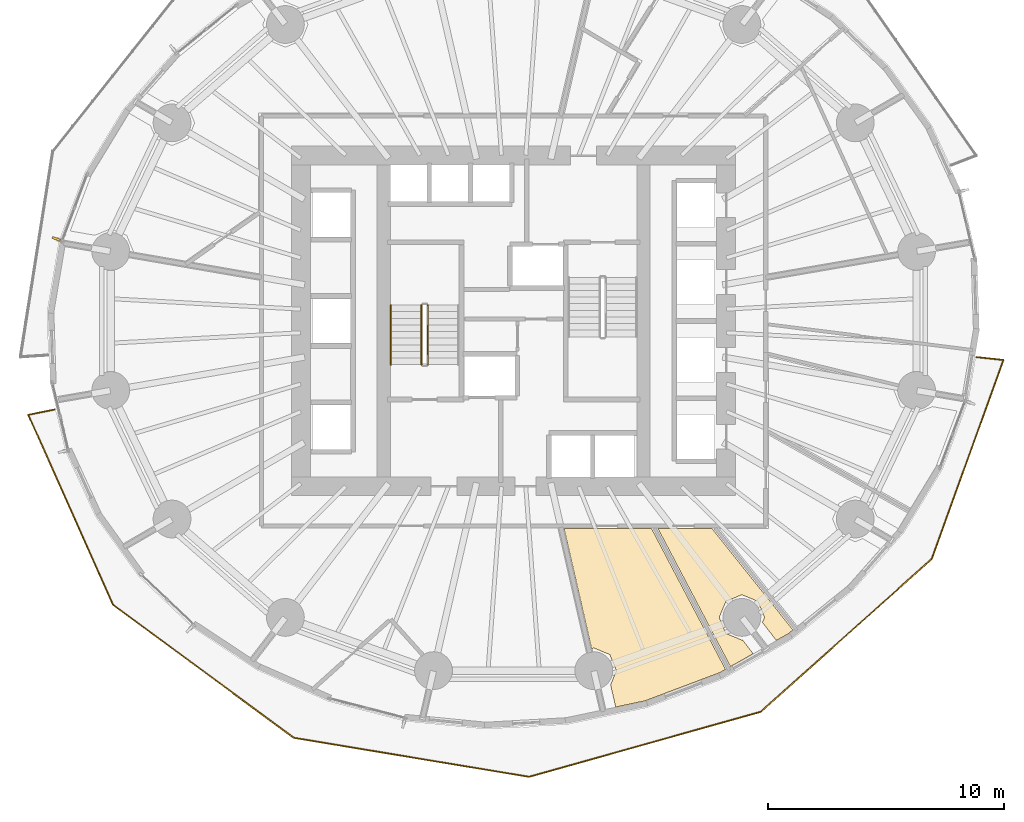
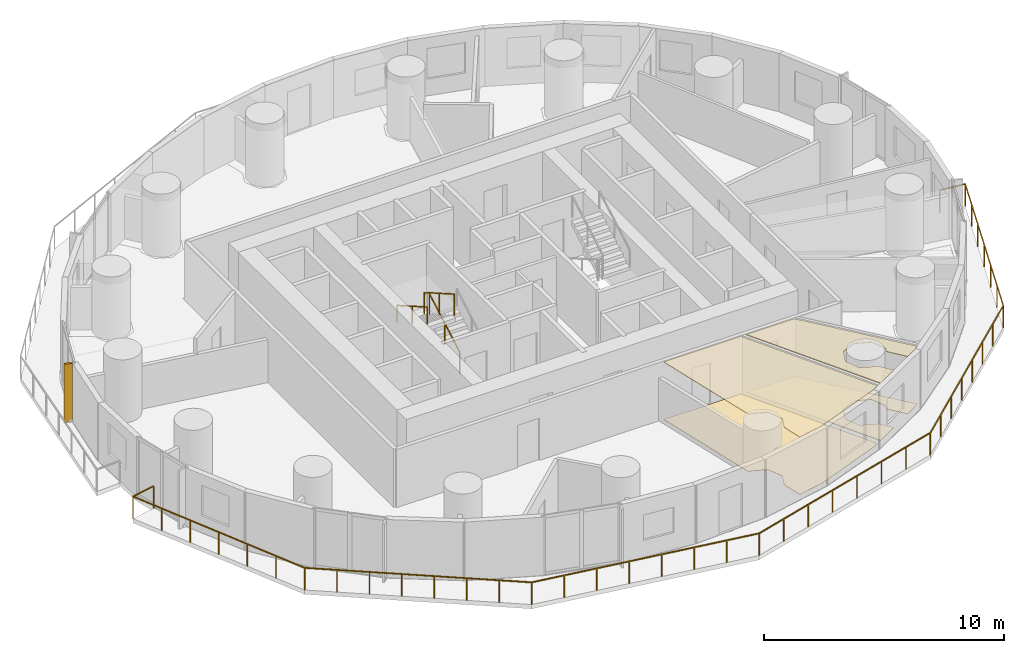
# One storey, part 12 of 14: 4 coverings, 4 railings, 1 shading device.
"""IFC4 building model written with IfcOpenShell, lengths in metres."""

from ifc_helpers import new_model, si_unit, direction, frame, origin, origin_2d, place, context, subcontext, project, spatial, polyline, rectangle, outline, extrude, material, layer, layer_set, type_object, element, save


model = new_model("IFC4")

# Units and contexts
model_context = context("Model", 3, precision=1e-05, world=origin(), true_north=direction((0.0, 1.0)))
body_context = subcontext(model_context, "Body", "Model", "MODEL_VIEW")
ifc_project = project(units=[si_unit("LENGTHUNIT", "METRE"), si_unit("AREAUNIT", "SQUARE_METRE"), si_unit("VOLUMEUNIT", "CUBIC_METRE"), si_unit("PLANEANGLEUNIT", "RADIAN"), si_unit("MASSUNIT", "GRAM", prefix="KILO")], contexts=[model_context])

# Site, building, storey
site_placement = place(None, origin())
site = spatial("IfcSite", under=ifc_project, at=site_placement, CompositionType="ELEMENT")
building_placement = place(site_placement, origin())
building = spatial("IfcBuilding", under=site, at=building_placement, Name="Veldorim Arch Residences", CompositionType="ELEMENT")
storey_placement = place(building_placement, frame((0.0, 0.0, 34.39990234375)))
storey = spatial("IfcBuildingStorey", under=building, at=storey_placement, Name="L09", CompositionType="ELEMENT", Elevation=34.39990234375)

# Railings
ifc_material_1 = material(Name="Aluminium", Category="aluminium")
railing_type_1 = type_object("IfcRailingType", Name="Balcony & Terrace Laminated Glass Balustrade 1150", PredefinedType="BALUSTRADE", material=ifc_material_1)
railing_1_placement = place(storey_placement, frame((12.56884765625, 20.253662109375, 0.0)))
element("IfcRailing", 1, at=railing_1_placement, inside=storey, type_object=railing_type_1, Name="L09 crescent balcony safety balustrade B", PredefinedType="BALUSTRADE", context=body_context, shape_type="SweptSolid", body=[
    extrude(rectangle(XDim=0.048095703125, YDim=0.048095703125, at=origin_2d()), frame((0.0, 0.0, 1.1259765625), z_axis=(-0.98018677994, -0.198075431164, 0.0), x_axis=(0.198075431164, -0.98018677994, 0.0)), (0.0, 0.0, 1.0), 1.14990234375),
    extrude(rectangle(XDim=0.048095703125, YDim=0.048095703125, at=origin_2d()), frame((-1.127197265625, -0.227783203125, 1.1259765625), z_axis=(0.407703225466, -0.913114494434, 0.0), x_axis=(0.913114494434, 0.407703225466, 0.0)), (0.0, 0.0, 1.0), 8.812744140625),
    extrude(rectangle(XDim=0.048095703125, YDim=0.048095703125, at=origin_2d()), frame((2.4658203125, -8.27490234375, 1.1259765625), z_axis=(0.80521403008, -0.592984287955, 0.0), x_axis=(0.592984287955, 0.80521403008, 0.0)), (0.0, 0.0, 1.0), 9.501953125),
    extrude(rectangle(XDim=0.048095703125, YDim=0.048095703125, at=origin_2d()), frame((10.116943359375, -13.909423828125, 1.1259765625), z_axis=(0.986516409648, -0.163662376542, 0.0), x_axis=(0.163662376542, 0.986516409648, 0.0)), (0.0, 0.0, 1.0), 10.10498046875),
    extrude(rectangle(XDim=0.048095703125, YDim=0.048095703125, at=origin_2d()), frame((20.085693359375, -15.563232421875, 1.1259765625), z_axis=(0.962734160995, 0.270449505921, 0.0), x_axis=(-0.270449505921, 0.962734160995, 0.0)), (0.0, 0.0, 1.0), 10.197265625),
    extrude(rectangle(XDim=0.048095703125, YDim=0.048095703125, at=origin_2d()), frame((29.90283203125, -12.805419921875, 1.1259765625), z_axis=(0.745463588348, 0.666546351312, 0.0), x_axis=(-0.666546351312, 0.745463588348, 0.0)), (0.0, 0.0, 1.0), 9.707763671875),
    extrude(rectangle(XDim=0.048095703125, YDim=0.048095703125, at=origin_2d()), frame((37.1396484375, -6.334716796875, 1.1259765625), z_axis=(0.338993500644, 0.940788715133, 0.0), x_axis=(-0.940788715133, 0.338993500644, 0.0)), (0.0, 0.0, 1.0), 8.959228515625),
    extrude(rectangle(XDim=0.048095703125, YDim=0.048095703125, at=origin_2d()), frame((40.1767578125, 2.093994140625, 1.1259765625), z_axis=(-0.994144958827, 0.108054619697, 0.0), x_axis=(-0.108054619697, -0.994144958827, 0.0)), (0.0, 0.0, 1.0), 1.150146484375),
    extrude(rectangle(XDim=0.0419921875, YDim=0.0419921875, at=origin_2d()), origin(), (0.0, 0.0, 1.0), 1.101806640625),
    extrude(rectangle(XDim=0.0419921875, YDim=0.0419921875, at=origin_2d()), frame((-1.127197265625, -0.227783203125, 0.0)), (0.0, 0.0, 1.0), 1.101806640625),
    extrude(rectangle(XDim=0.0419921875, YDim=0.0419921875, at=origin_2d()), frame((-0.5283203125, -1.56884765625, 0.0)), (0.0, 0.0, 1.0), 1.101806640625),
    extrude(rectangle(XDim=0.0419921875, YDim=0.0419921875, at=origin_2d()), frame((0.070556640625, -2.91015625, 0.0)), (0.0, 0.0, 1.0), 1.101806640625),
    extrude(rectangle(XDim=0.0419921875, YDim=0.0419921875, at=origin_2d()), frame((0.66943359375, -4.25146484375, 0.0)), (0.0, 0.0, 1.0), 1.101806640625),
    extrude(rectangle(XDim=0.0419921875, YDim=0.0419921875, at=origin_2d()), frame((1.26806640625, -5.592529296875, 0.0)), (0.0, 0.0, 1.0), 1.101806640625),
    extrude(rectangle(XDim=0.0419921875, YDim=0.0419921875, at=origin_2d()), frame((1.866943359375, -6.93359375, 0.0)), (0.0, 0.0, 1.0), 1.101806640625),
    extrude(rectangle(XDim=0.0419921875, YDim=0.0419921875, at=origin_2d()), frame((2.4658203125, -8.27490234375, 0.0)), (0.0, 0.0, 1.0), 1.101806640625),
    extrude(rectangle(XDim=0.0419921875, YDim=0.0419921875, at=origin_2d()), frame((3.558837890625, -9.079833984375, 0.0)), (0.0, 0.0, 1.0), 1.101806640625),
    extrude(rectangle(XDim=0.0419921875, YDim=0.0419921875, at=origin_2d()), frame((4.65185546875, -9.884765625, 0.0)), (0.0, 0.0, 1.0), 1.101806640625),
    extrude(rectangle(XDim=0.0419921875, YDim=0.0419921875, at=origin_2d()), frame((5.744873046875, -10.689697265625, 0.0)), (0.0, 0.0, 1.0), 1.101806640625),
    extrude(rectangle(XDim=0.0419921875, YDim=0.0419921875, at=origin_2d()), frame((6.837890625, -11.49462890625, 0.0)), (0.0, 0.0, 1.0), 1.101806640625),
    extrude(rectangle(XDim=0.0419921875, YDim=0.0419921875, at=origin_2d()), frame((7.930908203125, -12.299560546875, 0.0)), (0.0, 0.0, 1.0), 1.101806640625),
    extrude(rectangle(XDim=0.0419921875, YDim=0.0419921875, at=origin_2d()), frame((9.02392578125, -13.1044921875, 0.0)), (0.0, 0.0, 1.0), 1.101806640625),
    extrude(rectangle(XDim=0.0419921875, YDim=0.0419921875, at=origin_2d()), frame((10.116943359375, -13.909423828125, 0.0)), (0.0, 0.0, 1.0), 1.101806640625),
    extrude(rectangle(XDim=0.0419921875, YDim=0.0419921875, at=origin_2d()), frame((11.541015625, -14.145751953125, 0.0)), (0.0, 0.0, 1.0), 1.101806640625),
    extrude(rectangle(XDim=0.0419921875, YDim=0.0419921875, at=origin_2d()), frame((12.965087890625, -14.3818359375, 0.0)), (0.0, 0.0, 1.0), 1.101806640625),
    extrude(rectangle(XDim=0.0419921875, YDim=0.0419921875, at=origin_2d()), frame((14.38916015625, -14.6181640625, 0.0)), (0.0, 0.0, 1.0), 1.101806640625),
    extrude(rectangle(XDim=0.0419921875, YDim=0.0419921875, at=origin_2d()), frame((15.8134765625, -14.8544921875, 0.0)), (0.0, 0.0, 1.0), 1.101806640625),
    extrude(rectangle(XDim=0.0419921875, YDim=0.0419921875, at=origin_2d()), frame((17.237548828125, -15.0908203125, 0.0)), (0.0, 0.0, 1.0), 1.101806640625),
    extrude(rectangle(XDim=0.0419921875, YDim=0.0419921875, at=origin_2d()), frame((18.66162109375, -15.326904296875, 0.0)), (0.0, 0.0, 1.0), 1.101806640625),
    extrude(rectangle(XDim=0.0419921875, YDim=0.0419921875, at=origin_2d()), frame((20.085693359375, -15.563232421875, 0.0)), (0.0, 0.0, 1.0), 1.101806640625),
    extrude(rectangle(XDim=0.0419921875, YDim=0.0419921875, at=origin_2d()), frame((21.488037109375, -15.169189453125, 0.0)), (0.0, 0.0, 1.0), 1.101806640625),
    extrude(rectangle(XDim=0.0419921875, YDim=0.0419921875, at=origin_2d()), frame((22.890625, -14.775390625, 0.0)), (0.0, 0.0, 1.0), 1.101806640625),
    extrude(rectangle(XDim=0.0419921875, YDim=0.0419921875, at=origin_2d()), frame((24.29296875, -14.38134765625, 0.0)), (0.0, 0.0, 1.0), 1.101806640625),
    extrude(rectangle(XDim=0.0419921875, YDim=0.0419921875, at=origin_2d()), frame((25.695556640625, -13.9873046875, 0.0)), (0.0, 0.0, 1.0), 1.101806640625),
    extrude(rectangle(XDim=0.0419921875, YDim=0.0419921875, at=origin_2d()), frame((27.097900390625, -13.59326171875, 0.0)), (0.0, 0.0, 1.0), 1.101806640625),
    extrude(rectangle(XDim=0.0419921875, YDim=0.0419921875, at=origin_2d()), frame((28.50048828125, -13.199462890625, 0.0)), (0.0, 0.0, 1.0), 1.101806640625),
    extrude(rectangle(XDim=0.0419921875, YDim=0.0419921875, at=origin_2d()), frame((29.90283203125, -12.805419921875, 0.0)), (0.0, 0.0, 1.0), 1.101806640625),
    extrude(rectangle(XDim=0.0419921875, YDim=0.0419921875, at=origin_2d()), frame((30.936767578125, -11.881103515625, 0.0)), (0.0, 0.0, 1.0), 1.101806640625),
    extrude(rectangle(XDim=0.0419921875, YDim=0.0419921875, at=origin_2d()), frame((31.970458984375, -10.95654296875, 0.0)), (0.0, 0.0, 1.0), 1.101806640625),
    extrude(rectangle(XDim=0.0419921875, YDim=0.0419921875, at=origin_2d()), frame((33.00439453125, -10.0322265625, 0.0)), (0.0, 0.0, 1.0), 1.101806640625),
    extrude(rectangle(XDim=0.0419921875, YDim=0.0419921875, at=origin_2d()), frame((34.0380859375, -9.10791015625, 0.0)), (0.0, 0.0, 1.0), 1.101806640625),
    extrude(rectangle(XDim=0.0419921875, YDim=0.0419921875, at=origin_2d()), frame((35.072021484375, -8.18359375, 0.0)), (0.0, 0.0, 1.0), 1.101806640625),
    extrude(rectangle(XDim=0.0419921875, YDim=0.0419921875, at=origin_2d()), frame((36.105712890625, -7.259033203125, 0.0)), (0.0, 0.0, 1.0), 1.101806640625),
    extrude(rectangle(XDim=0.0419921875, YDim=0.0419921875, at=origin_2d()), frame((37.1396484375, -6.334716796875, 0.0)), (0.0, 0.0, 1.0), 1.101806640625),
    extrude(rectangle(XDim=0.0419921875, YDim=0.0419921875, at=origin_2d()), frame((37.645751953125, -4.929931640625, 0.0)), (0.0, 0.0, 1.0), 1.101806640625),
    extrude(rectangle(XDim=0.0419921875, YDim=0.0419921875, at=origin_2d()), frame((38.152099609375, -3.525146484375, 0.0)), (0.0, 0.0, 1.0), 1.101806640625),
    extrude(rectangle(XDim=0.0419921875, YDim=0.0419921875, at=origin_2d()), frame((38.658203125, -2.120361328125, 0.0)), (0.0, 0.0, 1.0), 1.101806640625),
    extrude(rectangle(XDim=0.0419921875, YDim=0.0419921875, at=origin_2d()), frame((39.164306640625, -0.715576171875, 0.0)), (0.0, 0.0, 1.0), 1.101806640625),
    extrude(rectangle(XDim=0.0419921875, YDim=0.0419921875, at=origin_2d()), frame((39.670654296875, 0.689208984375, 0.0)), (0.0, 0.0, 1.0), 1.101806640625),
    extrude(rectangle(XDim=0.0419921875, YDim=0.0419921875, at=origin_2d()), frame((40.1767578125, 2.093994140625, 0.0)), (0.0, 0.0, 1.0), 1.101806640625),
    extrude(rectangle(XDim=0.0419921875, YDim=0.0419921875, at=origin_2d()), frame((39.033447265625, 2.21826171875, 0.0)), (0.0, 0.0, 1.0), 1.101806640625),
])
ifc_material_2 = material(Name="Steel S355", Category="steel")
railing_type_2 = type_object("IfcRailingType", Name="Galvanised Steel Stair Safety Guardrail 1100", PredefinedType="GUARDRAIL", material=ifc_material_2)
railing_2_placement = place(storey_placement, frame((28.360107421875, 22.14990234375, 0.16015625)))
element("IfcRailing", 2, at=railing_2_placement, inside=storey, type_object=railing_type_2, Name="L09 ST-1 stair guard 1", PredefinedType="GUARDRAIL", context=body_context, shape_type="SweptSolid", body=[
    extrude(rectangle(XDim=0.048095703125, YDim=0.048095703125, at=origin_2d()), frame((0.0, 0.0, 1.076171875), z_axis=(0.0, 0.868253494771, 0.496120820787), x_axis=(-1.0, 0.0, 0.0)), (0.0, 0.0, 1.0), 2.90234375),
    extrude(rectangle(XDim=0.0419921875, YDim=0.0419921875, at=origin_2d()), origin(), (0.0, 0.0, 1.0), 1.052001953125),
    extrude(rectangle(XDim=0.0419921875, YDim=0.0419921875, at=origin_2d()), frame((0.0, 1.260009765625, 0.719970703125)), (0.0, 0.0, 1.0), 1.052001953125),
    extrude(rectangle(XDim=0.0419921875, YDim=0.0419921875, at=origin_2d()), frame((0.0, 2.52001953125, 1.43994140625)), (0.0, 0.0, 1.0), 1.052001953125),
])
railing_3_placement = place(storey_placement, frame((28.10009765625, 24.669921875, 1.760009765625)))
element("IfcRailing", 3, at=railing_3_placement, inside=storey, type_object=railing_type_2, Name="L09 ST-1 stair guard 3", PredefinedType="GUARDRAIL", context=body_context, shape_type="SweptSolid", body=[
    extrude(rectangle(XDim=0.048095703125, YDim=0.048095703125, at=origin_2d()), frame((0.0, 0.0, 1.076171875), z_axis=(0.0, -0.868217259934, 0.496184229447), x_axis=(1.0, 0.0, 0.0)), (0.0, 0.0, 1.0), 2.902587890625),
    extrude(rectangle(XDim=0.0419921875, YDim=0.0419921875, at=origin_2d()), origin(), (0.0, 0.0, 1.0), 1.052001953125),
    extrude(rectangle(XDim=0.0419921875, YDim=0.0419921875, at=origin_2d()), frame((0.0, -1.260009765625, 0.72021484375)), (0.0, 0.0, 1.0), 1.052001953125),
    extrude(rectangle(XDim=0.0419921875, YDim=0.0419921875, at=origin_2d()), frame((0.0, -2.52001953125, 1.440185546875)), (0.0, 0.0, 1.0), 1.052001953125),
])

# Coverings
ifc_material_3 = material(Name="Acoustic Gypsum & Mineral Fibre", Category="gypsum")
ifc_layer_1 = layer(ifc_material_3, 0.034912109375, Name="Perforated Acoustic Mineral-Fibre Ceiling 35")
ifc_layer_set_1 = layer_set([ifc_layer_1], Name="Acoustic Gypsum & Mineral Fibre")
covering_type_1 = type_object("IfcCoveringType", Name="Perforated Acoustic Mineral-Fibre Ceiling 35", PredefinedType="CEILING", material=ifc_layer_set_1)
covering_1_placement = place(storey_placement, frame((0.0, 0.0, 2.905029296875)))
element("IfcCovering", 4, at=covering_1_placement, inside=storey, type_object=covering_type_1, Name="L09 acoustic suspended ceiling 03", PredefinedType="CEILING", context=body_context, shape_type="SweptSolid", body=[
    extrude(outline(polyline([(42.14306640625, 9.908447265625), (41.182861328125, 9.36279296875), (38.115478515625, 15.199951171875), (40.408203125, 15.199951171875), (43.829345703125, 10.915283203125), (43.626953125, 10.751953125), (43.126220703125, 10.46728515625), (42.5380859375, 11.23095703125), (42.626708984375, 11.44482421875), (42.345703125, 12.12353515625), (41.6669921875, 12.40478515625), (40.98828125, 12.12353515625), (40.70703125, 11.44482421875), (40.98828125, 10.76611328125), (41.6669921875, 10.48486328125), (41.69140625, 10.4951171875), (42.14306640625, 9.908447265625)])), origin(), (0.0, 0.0, 1.0), 0.03515625),
])
covering_2_placement = place(storey_placement, frame((0.0, 0.0, 2.905029296875)))
element("IfcCovering", 5, at=covering_2_placement, inside=storey, type_object=covering_type_1, Name="L09 acoustic suspended ceiling 04", PredefinedType="CEILING", context=body_context, shape_type="SweptSolid", body=[
    extrude(outline(polyline([(36.3544921875, 9.190185546875), (36.0732421875, 9.868896484375), (35.39453125, 10.14990234375), (35.30615234375, 10.11328125), (34.14013671875, 15.199951171875), (37.844482421875, 15.199951171875), (40.97412109375, 9.244140625), (40.728759765625, 9.104736328125), (37.563720703125, 7.9111328125), (36.322265625, 7.6494140625), (36.1064453125, 8.59130859375), (36.3544921875, 9.190185546875)])), origin(), (0.0, 0.0, 1.0), 0.03515625),
])
ifc_material_4 = material(Name="Porcelain Ceramic Tile", Category="ceramic")
ifc_layer_2 = layer(ifc_material_4, 0.02001953125, Name="Slip-Resistant Porcelain & Vinyl Floor Finish 20")
ifc_layer_set_2 = layer_set([ifc_layer_2], Name="Porcelain Ceramic Tile")
covering_type_2 = type_object("IfcCoveringType", Name="Slip-Resistant Porcelain & Vinyl Floor Finish 20", PredefinedType="FLOORING", material=ifc_layer_set_2)
covering_3_placement = place(storey_placement, origin())
element("IfcCovering", 6, at=covering_3_placement, inside=storey, type_object=covering_type_2, Name="L09 porcelain floor finish 03", PredefinedType="FLOORING", context=body_context, shape_type="SweptSolid", body=[
    extrude(outline(polyline([(42.14306640625, 9.908447265625), (41.182861328125, 9.36279296875), (38.115478515625, 15.199951171875), (40.408203125, 15.199951171875), (43.829345703125, 10.915283203125), (43.626953125, 10.751953125), (43.126220703125, 10.46728515625), (42.5380859375, 11.23095703125), (42.626708984375, 11.44482421875), (42.345703125, 12.12353515625), (41.6669921875, 12.40478515625), (40.98828125, 12.12353515625), (40.70703125, 11.44482421875), (40.98828125, 10.76611328125), (41.6669921875, 10.48486328125), (41.69140625, 10.4951171875), (42.14306640625, 9.908447265625)])), origin(), (0.0, 0.0, 1.0), 0.02001953125),
])
covering_4_placement = place(storey_placement, origin())
element("IfcCovering", 7, at=covering_4_placement, inside=storey, type_object=covering_type_2, Name="L09 porcelain floor finish 04", PredefinedType="FLOORING", context=body_context, shape_type="SweptSolid", body=[
    extrude(outline(polyline([(36.3544921875, 9.190185546875), (36.0732421875, 9.868896484375), (35.39453125, 10.14990234375), (35.30615234375, 10.11328125), (34.14013671875, 15.199951171875), (37.844482421875, 15.199951171875), (40.97412109375, 9.244140625), (40.728759765625, 9.104736328125), (37.563720703125, 7.9111328125), (36.322265625, 7.6494140625), (36.1064453125, 8.59130859375), (36.3544921875, 9.190185546875)])), origin(), (0.0, 0.0, 1.0), 0.02001953125),
])

# Railing
ifc_material_5 = material(Name="Stainless Steel", Category="steel")
railing_type_3 = type_object("IfcRailingType", Name="Tubular Steel Continuous Wall Handrail 900", PredefinedType="HANDRAIL", material=ifc_material_5)
railing_4_placement = place(storey_placement, frame((26.800048828125, 24.669921875, 1.760009765625)))
element("IfcRailing", 8, at=railing_4_placement, inside=storey, type_object=railing_type_3, Name="L09 ST-1 stair handrail 2", PredefinedType="HANDRAIL", context=body_context, shape_type="SweptSolid", body=[
    extrude(rectangle(XDim=0.048095703125, YDim=0.048095703125, at=origin_2d()), frame((0.0, 0.0, 0.8759765625), z_axis=(0.0, -0.868217259934, 0.496184229447), x_axis=(1.0, 0.0, 0.0)), (0.0, 0.0, 1.0), 2.902587890625),
    extrude(rectangle(XDim=0.0419921875, YDim=0.0419921875, at=origin_2d()), origin(), (0.0, 0.0, 1.0), 0.851806640625),
    extrude(rectangle(XDim=0.0419921875, YDim=0.0419921875, at=origin_2d()), frame((0.0, -1.260009765625, 0.72021484375)), (0.0, 0.0, 1.0), 0.851806640625),
    extrude(rectangle(XDim=0.0419921875, YDim=0.0419921875, at=origin_2d()), frame((0.0, -2.52001953125, 1.440185546875)), (0.0, 0.0, 1.0), 0.851806640625),
])

# Shading device
ifc_material_6 = material(Name="Terracotta Ceramic", Category="masonry")
ifc_layer_3 = layer(ifc_material_6, 0.090087890625, Name="Vertical Extruded Terracotta Baguette Sun-Shading Fin")
ifc_layer_set_3 = layer_set([ifc_layer_3], Name="Terracotta Ceramic")
shading_device_type = type_object("IfcShadingDeviceType", Name="Vertical Extruded Terracotta Baguette Sun-Shading Fin", PredefinedType="USERDEFINED", material=ifc_layer_set_3)
shading_device_placement = place(storey_placement, frame((12.632080078125, 27.474853515625, 0.0), z_axis=(0.0, 0.0, 1.0), x_axis=(0.352984997999, 0.935628981588, 0.0)))
element("IfcShadingDevice", 9, at=shading_device_placement, inside=storey, type_object=shading_device_type, Name="L09 vertical terracotta sun-shading fin 16", ObjectType="FIN", PredefinedType="USERDEFINED", context=body_context, shape_type="SweptSolid", body=[
    extrude(rectangle(XDim=0.090087890625, YDim=0.360107421875, at=origin_2d()), origin(), (0.0, 0.0, 1.0), 2.9599609375),
])

save(model, "model.ifc")
